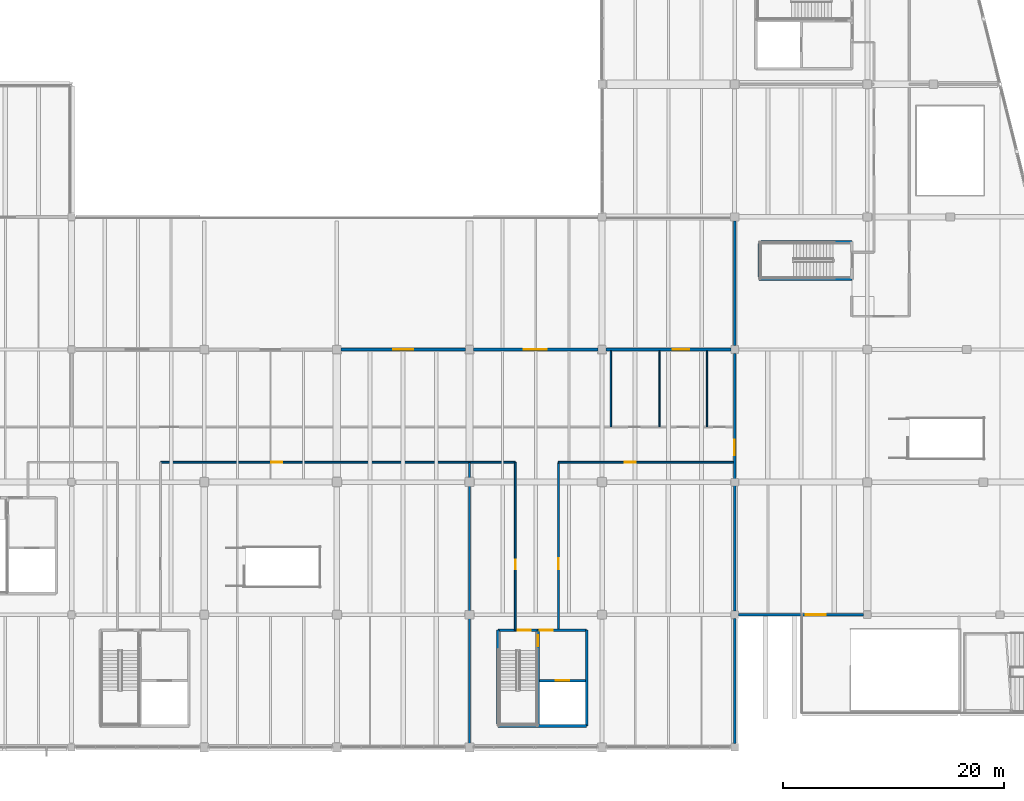
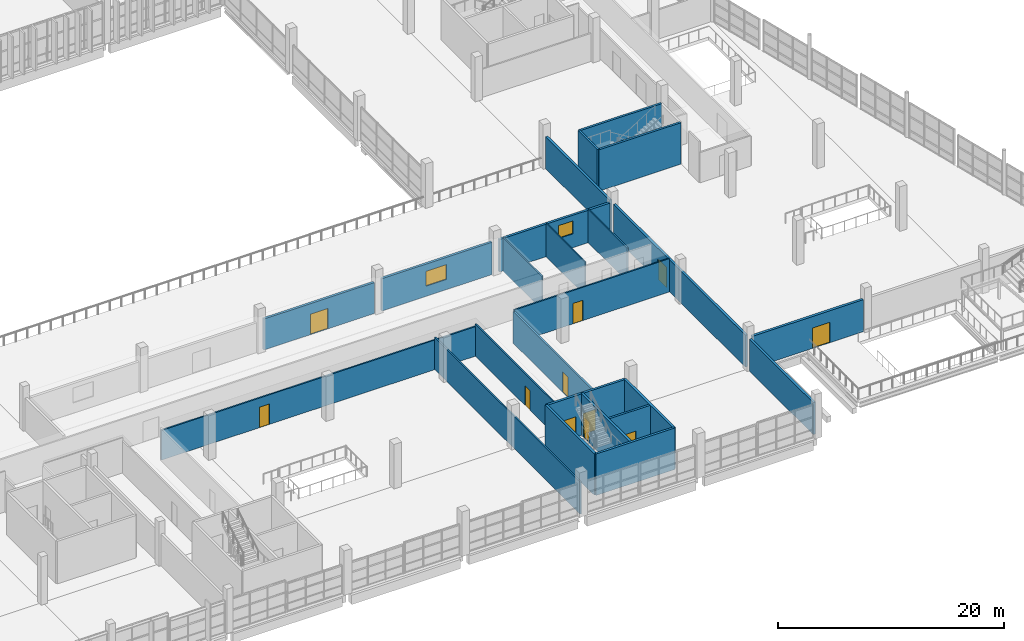
# One storey, part 84 of 112: 24 walls, 11 doors, 2 windows, 13 openings.
"""IFC4 building model written with IfcOpenShell, lengths in metres."""

from ifc_helpers import new_model, si_unit, direction, frame, frame_2d, origin, place, context, subcontext, project, spatial, rectangle, extrude, material, layer, layer_set, type_object, element, fill, save


model = new_model("IFC4")

# Units and contexts
model_context = context("Model", 3, precision=1e-05, world=origin(), true_north=direction((0.0, 1.0)))
body_context = subcontext(model_context, "Body", "Model", "MODEL_VIEW")
ifc_project = project(units=[si_unit("LENGTHUNIT", "METRE"), si_unit("AREAUNIT", "SQUARE_METRE"), si_unit("VOLUMEUNIT", "CUBIC_METRE"), si_unit("PLANEANGLEUNIT", "RADIAN"), si_unit("MASSUNIT", "GRAM", prefix="KILO")], contexts=[model_context])

# Site, building, storey
site_placement = place(None, origin())
site = spatial("IfcSite", under=ifc_project, at=site_placement, CompositionType="ELEMENT")
building_placement = place(site_placement, origin())
building = spatial("IfcBuilding", under=site, at=building_placement, Name="Kamomehara Wholesale Market", CompositionType="ELEMENT")
storey_placement = place(building_placement, frame((0.0, 0.0, 6.60009765625)))
storey = spatial("IfcBuildingStorey", under=building, at=storey_placement, Name="L01", CompositionType="ELEMENT", Elevation=6.60009765625)

# Wall, opening, door
ifc_material_1 = material(Name="Precast concrete Fc45 (C40/50)", Category="concrete")
ifc_layer_1 = layer(ifc_material_1, 0.239990234375)
ifc_layer_set_1 = layer_set([ifc_layer_1], Name="Precast concrete Fc45 (C40/50)")
wall_type_1 = type_object("IfcWallType", Name="EW-PC-240", PredefinedType="SOLIDWALL", material=ifc_layer_set_1)
wall_1_placement = place(storey_placement, frame((132.375, 48.0, 0.0), z_axis=(0.0, 0.0, 1.0), x_axis=(1.0, 0.0, 0.0)))
wall_1 = element("IfcWall", 1, at=wall_1_placement, inside=storey, type_object=wall_type_1, Name="Exterior wall EW-PC-240 105", PredefinedType="SOLIDWALL", context=body_context, shape_type="SweptSolid", body=[
    extrude(rectangle(XDim=11.25, YDim=0.239990234375, at=frame_2d((5.625, 0.0))), origin(), (0.0, 0.0, 1.0), 3.337890625),
])
opening_1_placement = place(wall_1_placement, frame((4.72509765625, 0.0, 0.0)))
opening_1 = element("IfcOpeningElement", 2, at=opening_1_placement, cuts=wall_1, Name="Opening TD-L01-132", PredefinedType="OPENING", context=body_context, shape_type="SweptSolid", body=[
    extrude(rectangle(XDim=1.800048828125, YDim=2.199951171875, at=frame_2d((0.89990234375, 1.10009765625))), frame((0.0, 0.134765625, 0.0), z_axis=(0.0, -1.0, 0.0), x_axis=(1.0, 0.0, 0.0)), (0.0, 0.0, 1.0), 0.269775390625),
])
ifc_material_2 = material(Name="Anodised aluminium 6063-T5", Category="aluminium")
door_type_1 = type_object("IfcDoorType", Name="EDR-1800x2200", OperationType="NOTDEFINED", PredefinedType="DOOR", material=ifc_material_2)
door_1_placement = place(opening_1_placement, origin())
door_1 = element("IfcDoor", 3, at=door_1_placement, inside=storey, type_object=door_type_1, Name="Terrace 1 restaurant door TD-L01-132", OperationType="SINGLE_SWING_LEFT", OverallHeight=2.199951171875, OverallWidth=1.800048828125, PredefinedType="DOOR", context=body_context, shape_type="SweptSolid", body=[
    extrude(rectangle(XDim=1.800048828125, YDim=2.199951171875, at=frame_2d((0.89990234375, 1.10009765625))), frame((0.0, 0.02490234375, 0.0), z_axis=(0.0, -1.0, 0.0), x_axis=(1.0, 0.0, 0.0)), (0.0, 0.0, 1.0), 0.050048828125),
])
fill(opening_1, door_1)

# Wall, opening, window
wall_2_placement = place(storey_placement, frame((144.375, 48.0, 0.0), z_axis=(0.0, 0.0, 1.0), x_axis=(1.0, 0.0, 0.0)))
wall_2 = element("IfcWall", 4, at=wall_2_placement, inside=storey, type_object=wall_type_1, Name="Exterior wall EW-PC-240 106", PredefinedType="SOLIDWALL", context=body_context, shape_type="SweptSolid", body=[
    extrude(rectangle(XDim=11.25, YDim=0.239990234375, at=frame_2d((5.625, 0.0))), origin(), (0.0, 0.0, 1.0), 3.477783203125),
])
opening_2_placement = place(wall_2_placement, frame((4.52490234375, 0.0, 1.10009765625)))
opening_2 = element("IfcOpeningElement", 5, at=opening_2_placement, cuts=wall_2, Name="Opening WN-L01-023", PredefinedType="OPENING", context=body_context, shape_type="SweptSolid", body=[
    extrude(rectangle(XDim=2.10009765625, YDim=1.60009765625, at=frame_2d((1.050048828125, 0.800048828125))), frame((0.0, 0.134765625, 0.0), z_axis=(0.0, -1.0, 0.0), x_axis=(1.0, 0.0, 0.0)), (0.0, 0.0, 1.0), 0.269775390625),
])
ifc_material_3 = material(Name="Solar-control Low-E double glazing", Category="glass")
window_type_1 = type_object("IfcWindowType", Name="WIN-2100x1600", PartitioningType="SINGLE_PANEL", PredefinedType="WINDOW", material=ifc_material_3)
window_1_placement = place(opening_2_placement, origin())
window_1 = element("IfcWindow", 6, at=window_1_placement, inside=storey, type_object=window_type_1, Name="Exterior window WN-L01-023", OverallHeight=1.60009765625, OverallWidth=2.10009765625, PartitioningType="SINGLE_PANEL", PredefinedType="WINDOW", context=body_context, shape_type="SweptSolid", body=[
    extrude(rectangle(XDim=2.10009765625, YDim=1.60009765625, at=frame_2d((1.050048828125, 0.800048828125))), frame((0.0, 0.030029296875, 0.0), z_axis=(0.0, -1.0, 0.0), x_axis=(1.0, 0.0, 0.0)), (0.0, 0.0, 1.0), 0.06005859375),
])
fill(opening_2, window_1)

wall_3_placement = place(storey_placement, frame((156.375, 48.0, 0.0), z_axis=(0.0, 0.0, 1.0), x_axis=(1.0, 0.0, 0.0)))
wall_3 = element("IfcWall", 7, at=wall_3_placement, inside=storey, type_object=wall_type_1, Name="Exterior wall EW-PC-240 107", PredefinedType="SOLIDWALL", context=body_context, shape_type="SweptSolid", body=[
    extrude(rectangle(XDim=11.27490234375, YDim=0.239990234375, at=frame_2d((5.637451171875, 0.0))), origin(), (0.0, 0.0, 1.0), 3.497802734375),
])
opening_3_placement = place(wall_3_placement, frame((6.02490234375, 0.0, 1.5)))
opening_3 = element("IfcOpeningElement", 8, at=opening_3_placement, cuts=wall_3, Name="Opening WN-L01-024", PredefinedType="OPENING", context=body_context, shape_type="SweptSolid", body=[
    extrude(rectangle(XDim=1.5, YDim=1.39990234375, at=frame_2d((0.75, 0.699951171875))), frame((0.0, 0.134765625, 0.0), z_axis=(0.0, -1.0, 0.0), x_axis=(1.0, 0.0, 0.0)), (0.0, 0.0, 1.0), 0.269775390625),
])
ifc_material_4 = material(Name="Solar-control Low-E double glazing", Category="glass")
window_type_2 = type_object("IfcWindowType", Name="WIN-1500x1400", PartitioningType="SINGLE_PANEL", PredefinedType="WINDOW", material=ifc_material_4)
window_2_placement = place(opening_3_placement, origin())
window_2 = element("IfcWindow", 9, at=window_2_placement, inside=storey, type_object=window_type_2, Name="Exterior window WN-L01-024", OverallHeight=1.39990234375, OverallWidth=1.5, PartitioningType="SINGLE_PANEL", PredefinedType="WINDOW", context=body_context, shape_type="SweptSolid", body=[
    extrude(rectangle(XDim=1.5, YDim=1.39990234375, at=frame_2d((0.75, 0.699951171875))), frame((0.0, 0.030029296875, 0.0), z_axis=(0.0, -1.0, 0.0), x_axis=(1.0, 0.0, 0.0)), (0.0, 0.0, 1.0), 0.06005859375),
])
fill(opening_3, window_2)

# Walls
wall_4_placement = place(storey_placement, frame((168.0, 23.64990234375, 0.0), z_axis=(0.0, 0.0, 1.0), x_axis=(0.0, -1.0, 0.0)))
element("IfcWall", 10, at=wall_4_placement, inside=storey, type_object=wall_type_1, Name="Exterior wall EW-PC-240 127", PredefinedType="SOLIDWALL", context=body_context, shape_type="SweptSolid", body=[
    extrude(rectangle(XDim=11.2998046875, YDim=0.239990234375, at=frame_2d((5.64990234375, 0.0))), origin(), (0.0, 0.0, 1.0), 3.44287109375),
])
wall_5_placement = place(storey_placement, frame((168.0, 48.35009765625, 0.0), z_axis=(0.0, 0.0, 1.0), x_axis=(0.0, 1.0, 0.0)))
element("IfcWall", 11, at=wall_5_placement, inside=storey, type_object=wall_type_1, Name="Exterior wall EW-PC-240 132", PredefinedType="SOLIDWALL", context=body_context, shape_type="SweptSolid", body=[
    extrude(rectangle(XDim=11.27490234375, YDim=0.239990234375, at=frame_2d((5.637451171875, 0.0))), origin(), (0.0, 0.0, 1.0), 3.447998046875),
])

# Wall, opening, door
ifc_material_5 = material(Name="Precast concrete Fc45 (C40/50)", Category="concrete")
ifc_layer_2 = layer(ifc_material_5, 0.260009765625)
ifc_layer_set_2 = layer_set([ifc_layer_2], Name="Precast concrete Fc45 (C40/50)")
wall_type_2 = type_object("IfcWallType", Name="EW-PC-260", PredefinedType="SOLIDWALL", material=ifc_layer_set_2)
wall_6_placement = place(storey_placement, frame((179.64990234375, 24.0, 0.0), z_axis=(0.0, 0.0, 1.0), x_axis=(-1.0, 0.0, 0.0)))
wall_6 = element("IfcWall", 12, at=wall_6_placement, inside=storey, type_object=wall_type_2, Name="Exterior wall EW-PC-260 130", PredefinedType="SOLIDWALL", context=body_context, shape_type="SweptSolid", body=[
    extrude(rectangle(XDim=11.2998046875, YDim=0.260009765625, at=frame_2d((5.64990234375, 0.0))), origin(), (0.0, 0.0, 1.0), 3.44287109375),
])
opening_4_placement = place(wall_6_placement, frame((3.39990234375, 0.0, 0.0)))
opening_4 = element("IfcOpeningElement", 13, at=opening_4_placement, cuts=wall_6, Name="Opening TD-L01-V2", PredefinedType="OPENING", context=body_context, shape_type="SweptSolid", body=[
    extrude(rectangle(XDim=1.800048828125, YDim=2.199951171875, at=frame_2d((0.89990234375, 1.10009765625))), frame((0.0, 0.14501953125, 0.0), z_axis=(0.0, -1.0, 0.0), x_axis=(1.0, 0.0, 0.0)), (0.0, 0.0, 1.0), 0.289794921875),
])
door_2_placement = place(opening_4_placement, origin())
door_2 = element("IfcDoor", 14, at=door_2_placement, inside=storey, type_object=door_type_1, Name="Forecourt stair terrace door TD-L01-V2", OperationType="SINGLE_SWING_LEFT", OverallHeight=2.199951171875, OverallWidth=1.800048828125, PredefinedType="DOOR", context=body_context, shape_type="SweptSolid", body=[
    extrude(rectangle(XDim=1.800048828125, YDim=2.199951171875, at=frame_2d((0.89990234375, 1.10009765625))), frame((0.0, 0.02490234375, 0.0), z_axis=(0.0, -1.0, 0.0), x_axis=(1.0, 0.0, 0.0)), (0.0, 0.0, 1.0), 0.050048828125),
])
fill(opening_4, door_2)

# Walls
ifc_material_6 = material(Name="Gypsum board partition")
ifc_layer_3 = layer(ifc_material_6, 0.125)
ifc_layer_set_3 = layer_set([ifc_layer_3], Name="Gypsum board partition")
wall_type_3 = type_object("IfcWallType", Name="IW-PRT-125", PredefinedType="PARTITIONING", material=ifc_layer_set_3)
for number, where, z_axis, x_axis, name in (
    (15, (156.800048828125, 41.0, 0.0), (0.0, 0.0, 1.0), (0.0, 1.0, 0.0), "Interior wall IW-PRT-125 330"),
    (16, (161.199951171875, 41.0, 0.0), (0.0, 0.0, 1.0), (0.0, 1.0, 0.0), "Interior wall IW-PRT-125 331"),
    (17, (165.5, 41.0, 0.0), (0.0, 0.0, 1.0), (0.0, 1.0, 0.0), "Interior wall IW-PRT-125 332"),
):
    element("IfcWall", number, at=place(storey_placement, frame(where, z_axis=z_axis, x_axis=x_axis)), inside=storey, type_object=wall_type_3, Name=name, PredefinedType="PARTITIONING", context=body_context, shape_type="SweptSolid", body=[
        extrude(rectangle(XDim=6.8798828125, YDim=0.125, at=frame_2d((3.43994140625, 0.0))), origin(), (0.0, 0.0, 1.0), 3.587890625),
    ])

# Wall, opening, door
ifc_material_7 = material(Name="Gypsum board partition")
ifc_layer_4 = layer(ifc_material_7, 0.14990234375)
ifc_layer_set_4 = layer_set([ifc_layer_4], Name="Gypsum board partition")
wall_type_4 = type_object("IfcWallType", Name="IW-PRT-150", PredefinedType="PARTITIONING", material=ifc_layer_set_4)
wall_7_placement = place(storey_placement, frame((116.050048828125, 37.800048828125, 0.0), z_axis=(0.0, 0.0, 1.0), x_axis=(1.0, 0.0, 0.0)))
wall_7 = element("IfcWall", 18, at=wall_7_placement, inside=storey, type_object=wall_type_4, Name="Interior wall IW-PRT-150 321", PredefinedType="PARTITIONING", context=body_context, shape_type="SweptSolid", body=[
    extrude(rectangle(XDim=32.099853515625, YDim=0.14990234375, at=frame_2d((16.0498046875, 0.0))), origin(), (0.0, 0.0, 1.0), 3.19287109375),
])
opening_5_placement = place(wall_7_placement, frame((10.0, 0.0, 0.0)))
opening_5 = element("IfcOpeningElement", 19, at=opening_5_placement, cuts=wall_7, Name="Opening ID-L01-200", PredefinedType="OPENING", context=body_context, shape_type="SweptSolid", body=[
    extrude(rectangle(XDim=1.0, YDim=2.199951171875, at=frame_2d((0.5, 1.10009765625))), frame((0.0, 0.08984375, 0.0), z_axis=(0.0, -1.0, 0.0), x_axis=(1.0, 0.0, 0.0)), (0.0, 0.0, 1.0), 0.1796875),
])
ifc_material_8 = material(Name="Anodised aluminium 6063-T5", Category="aluminium")
door_type_2 = type_object("IfcDoorType", Name="IDR-RM-1000x2200", OperationType="NOTDEFINED", PredefinedType="DOOR", material=ifc_material_8)
door_3_placement = place(opening_5_placement, origin())
door_3 = element("IfcDoor", 20, at=door_3_placement, inside=storey, type_object=door_type_2, Name="Interior door ID-L01-200", OperationType="SINGLE_SWING_RIGHT", OverallHeight=2.199951171875, OverallWidth=1.0, PredefinedType="DOOR", context=body_context, shape_type="SweptSolid", body=[
    extrude(rectangle(XDim=1.0, YDim=2.199951171875, at=frame_2d((0.5, 1.10009765625))), frame((0.0, 0.02490234375, 0.0), z_axis=(0.0, -1.0, 0.0), x_axis=(1.0, 0.0, 0.0)), (0.0, 0.0, 1.0), 0.050048828125),
])
fill(opening_5, door_3)

wall_8_placement = place(storey_placement, frame((148.14990234375, 22.60009765625, 0.0), z_axis=(0.0, 0.0, 1.0), x_axis=(0.0, 1.0, 0.0)))
wall_8 = element("IfcWall", 21, at=wall_8_placement, inside=storey, type_object=wall_type_4, Name="Interior wall IW-PRT-150 322", PredefinedType="PARTITIONING", context=body_context, shape_type="SweptSolid", body=[
    extrude(rectangle(XDim=15.199951171875, YDim=0.14990234375, at=frame_2d((7.60009765625, 0.0))), origin(), (0.0, 0.0, 1.0), 3.432861328125),
])
opening_6_placement = place(wall_8_placement, frame((5.5, 0.0, 0.0)))
opening_6 = element("IfcOpeningElement", 22, at=opening_6_placement, cuts=wall_8, Name="Opening ID-L01-201", PredefinedType="OPENING", context=body_context, shape_type="SweptSolid", body=[
    extrude(rectangle(XDim=0.89990234375, YDim=2.10009765625, at=frame_2d((0.449951171875, 1.050048828125))), frame((0.0, 0.08984375, 0.0), z_axis=(0.0, -1.0, 0.0), x_axis=(1.0, 0.0, 0.0)), (0.0, 0.0, 1.0), 0.1796875),
])
ifc_material_9 = material(Name="Anodised aluminium 6063-T5", Category="aluminium")
door_type_3 = type_object("IfcDoorType", Name="IDR-RM-900x2100", OperationType="NOTDEFINED", PredefinedType="DOOR", material=ifc_material_9)
door_4_placement = place(opening_6_placement, origin())
door_4 = element("IfcDoor", 23, at=door_4_placement, inside=storey, type_object=door_type_3, Name="Interior door ID-L01-201", OperationType="SINGLE_SWING_LEFT", OverallHeight=2.10009765625, OverallWidth=0.89990234375, PredefinedType="DOOR", context=body_context, shape_type="SweptSolid", body=[
    extrude(rectangle(XDim=0.89990234375, YDim=2.10009765625, at=frame_2d((0.449951171875, 1.050048828125))), frame((0.0, 0.02490234375, 0.0), z_axis=(0.0, -1.0, 0.0), x_axis=(1.0, 0.0, 0.0)), (0.0, 0.0, 1.0), 0.050048828125),
])
fill(opening_6, door_4)

wall_9_placement = place(storey_placement, frame((152.050048828125, 37.800048828125, 0.0), z_axis=(0.0, 0.0, 1.0), x_axis=(1.0, 0.0, 0.0)))
wall_9 = element("IfcWall", 24, at=wall_9_placement, inside=storey, type_object=wall_type_4, Name="Interior wall IW-PRT-150 324", PredefinedType="PARTITIONING", context=body_context, shape_type="SweptSolid", body=[
    extrude(rectangle(XDim=15.829833984375, YDim=0.14990234375, at=frame_2d((7.9150390625, 0.0))), origin(), (0.0, 0.0, 1.0), 3.587890625),
])
opening_7_placement = place(wall_9_placement, frame((6.0, 0.0, 0.0)))
opening_7 = element("IfcOpeningElement", 25, at=opening_7_placement, cuts=wall_9, Name="Opening ID-L01-203", PredefinedType="OPENING", context=body_context, shape_type="SweptSolid", body=[
    extrude(rectangle(XDim=1.0, YDim=2.199951171875, at=frame_2d((0.5, 1.10009765625))), frame((0.0, 0.08984375, 0.0), z_axis=(0.0, -1.0, 0.0), x_axis=(1.0, 0.0, 0.0)), (0.0, 0.0, 1.0), 0.1796875),
])
door_5_placement = place(opening_7_placement, origin())
door_5 = element("IfcDoor", 26, at=door_5_placement, inside=storey, type_object=door_type_2, Name="Interior door ID-L01-203", OperationType="SINGLE_SWING_LEFT", OverallHeight=2.199951171875, OverallWidth=1.0, PredefinedType="DOOR", context=body_context, shape_type="SweptSolid", body=[
    extrude(rectangle(XDim=1.0, YDim=2.199951171875, at=frame_2d((0.5, 1.10009765625))), frame((0.0, 0.02490234375, 0.0), z_axis=(0.0, -1.0, 0.0), x_axis=(1.0, 0.0, 0.0)), (0.0, 0.0, 1.0), 0.050048828125),
])
fill(opening_7, door_5)

# Wall
wall_10_placement = place(storey_placement, frame((144.0, 12.0400390625, 0.0), z_axis=(0.0, 0.0, 1.0), x_axis=(0.0, 1.0, 0.0)))
element("IfcWall", 27, at=wall_10_placement, inside=storey, type_object=wall_type_4, Name="Interior wall IW-PRT-150 329", PredefinedType="PARTITIONING", context=body_context, shape_type="SweptSolid", body=[
    extrude(rectangle(XDim=25.760009765625, YDim=0.14990234375, at=frame_2d((12.8798828125, 0.0))), origin(), (0.0, 0.0, 1.0), 3.452880859375),
])

# Wall, opening, door
ifc_material_10 = material(Name="Gypsum board partition")
ifc_layer_5 = layer(ifc_material_10, 0.175048828125)
ifc_layer_set_5 = layer_set([ifc_layer_5], Name="Gypsum board partition")
wall_type_5 = type_object("IfcWallType", Name="IW-PRT-175", PredefinedType="PARTITIONING", material=ifc_layer_set_5)
wall_11_placement = place(storey_placement, frame((152.050048828125, 22.60009765625, 0.0), z_axis=(0.0, 0.0, 1.0), x_axis=(0.0, 1.0, 0.0)))
wall_11 = element("IfcWall", 28, at=wall_11_placement, inside=storey, type_object=wall_type_5, Name="Interior wall IW-PRT-175 323", PredefinedType="PARTITIONING", context=body_context, shape_type="SweptSolid", body=[
    extrude(rectangle(XDim=15.199951171875, YDim=0.175048828125, at=frame_2d((7.60009765625, 0.0))), origin(), (0.0, 0.0, 1.0), 3.432861328125),
])
opening_8_placement = place(wall_11_placement, frame((5.5, 0.0, 0.0)))
opening_8 = element("IfcOpeningElement", 29, at=opening_8_placement, cuts=wall_11, Name="Opening ID-L01-202", PredefinedType="OPENING", context=body_context, shape_type="SweptSolid", body=[
    extrude(rectangle(XDim=1.0, YDim=2.199951171875, at=frame_2d((0.5, 1.10009765625))), frame((0.0, 0.1025390625, 0.0), z_axis=(0.0, -1.0, 0.0), x_axis=(1.0, 0.0, 0.0)), (0.0, 0.0, 1.0), 0.204833984375),
])
door_6_placement = place(opening_8_placement, origin())
door_6 = element("IfcDoor", 30, at=door_6_placement, inside=storey, type_object=door_type_2, Name="Interior door ID-L01-202", OperationType="SINGLE_SWING_RIGHT", OverallHeight=2.199951171875, OverallWidth=1.0, PredefinedType="DOOR", context=body_context, shape_type="SweptSolid", body=[
    extrude(rectangle(XDim=1.0, YDim=2.199951171875, at=frame_2d((0.5, 1.10009765625))), frame((0.0, 0.02490234375, 0.0), z_axis=(0.0, -1.0, 0.0), x_axis=(1.0, 0.0, 0.0)), (0.0, 0.0, 1.0), 0.050048828125),
])
fill(opening_8, door_6)

ifc_material_11 = material(Name="Concrete Fc36 (C35/45)", Category="concrete")
ifc_layer_6 = layer(ifc_material_11, 0.219970703125)
ifc_layer_set_6 = layer_set([ifc_layer_6], Name="Concrete Fc36 (C35/45)")
wall_type_6 = type_object("IfcWallType", Name="IW-SHR-220", PredefinedType="SHEAR", material=ifc_layer_set_6)
wall_12_placement = place(storey_placement, frame((150.340087890625, 18.0400390625, 0.0), z_axis=(0.0, 0.0, 1.0), x_axis=(1.0, 0.0, 0.0)))
wall_12 = element("IfcWall", 31, at=wall_12_placement, inside=storey, type_object=wall_type_6, Name="Interior wall IW-SHR-220 120", PredefinedType="SHEAR", context=body_context, shape_type="SweptSolid", body=[
    extrude(rectangle(XDim=4.139892578125, YDim=0.219970703125, at=frame_2d((2.06982421875, 0.0))), origin(), (0.0, 0.0, 1.0), 4.469970703125),
])
opening_9_placement = place(wall_12_placement, frame((1.469970703125, 0.0, 0.0)))
opening_9 = element("IfcOpeningElement", 32, at=opening_9_placement, cuts=wall_12, Name="Opening LD-LP-04-L01", PredefinedType="OPENING", context=body_context, shape_type="SweptSolid", body=[
    extrude(rectangle(XDim=1.199951171875, YDim=2.199951171875, at=frame_2d((0.60009765625, 1.10009765625))), frame((0.0, 0.125, 0.0), z_axis=(0.0, -1.0, 0.0), x_axis=(1.0, 0.0, 0.0)), (0.0, 0.0, 1.0), 0.249755859375),
])
ifc_material_12 = material(Name="Steel SN400B", Category="steel")
door_type_4 = type_object("IfcDoorType", Name="LDR-PAX-1200x2200", OperationType="DOUBLE_DOOR_SLIDING", PredefinedType="DOOR", material=ifc_material_12)
door_7_placement = place(opening_9_placement, origin())
door_7 = element("IfcDoor", 33, at=door_7_placement, inside=storey, type_object=door_type_4, Name="Lift sliding landing door LD-LP-04-L01", OperationType="DOUBLE_DOOR_SLIDING", OverallHeight=2.199951171875, OverallWidth=1.199951171875, PredefinedType="DOOR", context=body_context, shape_type="SweptSolid", body=[
    extrude(rectangle(XDim=1.199951171875, YDim=2.199951171875, at=frame_2d((0.60009765625, 1.10009765625))), frame((0.0, 0.02490234375, 0.0), z_axis=(0.0, -1.0, 0.0), x_axis=(1.0, 0.0, 0.0)), (0.0, 0.0, 1.0), 0.050048828125),
])
fill(opening_9, door_7)

# Walls
wall_13_placement = place(storey_placement, frame((170.219970703125, 57.760009765625, 0.0), z_axis=(0.0, 0.0, 1.0), x_axis=(0.0, -1.0, 0.0)))
element("IfcWall", 34, at=wall_13_placement, inside=storey, type_object=wall_type_6, Name="Interior wall IW-SHR-220 155", PredefinedType="SHEAR", context=body_context, shape_type="SweptSolid", body=[
    extrude(rectangle(XDim=3.389892578125, YDim=0.219970703125, at=frame_2d((1.69482421875, 0.0))), origin(), (0.0, 0.0, 1.0), 4.469970703125),
])
for number, where, z_axis, x_axis, name in (
    (35, (170.219970703125, 54.3701171875, 0.0), (0.0, 0.0, 1.0), (1.0, 0.0, 0.0), "Interior wall IW-SHR-220 156"),
    (36, (178.60009765625, 57.760009765625, 0.0), (0.0, 0.0, 1.0), (-1.0, 0.0, 0.0), "Interior wall IW-SHR-220 158"),
):
    element("IfcWall", number, at=place(storey_placement, frame(where, z_axis=z_axis, x_axis=x_axis)), inside=storey, type_object=wall_type_6, Name=name, PredefinedType="SHEAR", context=body_context, shape_type="SweptSolid", body=[
        extrude(rectangle(XDim=8.380126953125, YDim=0.219970703125, at=frame_2d((4.18994140625, 0.0))), origin(), (0.0, 0.0, 1.0), 4.469970703125),
    ])
ifc_material_13 = material(Name="Concrete Fc36 (C35/45)", Category="concrete")
ifc_layer_7 = layer(ifc_material_13, 0.239990234375)
ifc_layer_set_7 = layer_set([ifc_layer_7], Name="Concrete Fc36 (C35/45)")
wall_type_7 = type_object("IfcWallType", Name="IW-SHR-240", PredefinedType="SHEAR", material=ifc_layer_set_7)
wall_14_placement = place(storey_placement, frame((146.580078125, 22.60009765625, 0.0), z_axis=(0.0, 0.0, 1.0), x_axis=(0.0, -1.0, 0.0)))
element("IfcWall", 37, at=wall_14_placement, inside=storey, type_object=wall_type_7, Name="Interior wall IW-SHR-240 115", PredefinedType="SHEAR", context=body_context, shape_type="SweptSolid", body=[
    extrude(rectangle(XDim=8.670166015625, YDim=0.239990234375, at=frame_2d((4.3349609375, 0.0))), origin(), (0.0, 0.0, 1.0), 4.469970703125),
])
wall_15_placement = place(storey_placement, frame((146.580078125, 13.929931640625, 0.0), z_axis=(0.0, 0.0, 1.0), x_axis=(1.0, 0.0, 0.0)))
element("IfcWall", 38, at=wall_15_placement, inside=storey, type_object=wall_type_7, Name="Interior wall IW-SHR-240 116", PredefinedType="SHEAR", context=body_context, shape_type="SweptSolid", body=[
    extrude(rectangle(XDim=8.02001953125, YDim=0.239990234375, at=frame_2d((4.010009765625, 0.0))), origin(), (0.0, 0.0, 1.0), 4.469970703125),
])

# Wall, opening, door
wall_16_placement = place(storey_placement, frame((150.219970703125, 13.929931640625, 0.0), z_axis=(0.0, 0.0, 1.0), x_axis=(0.0, 1.0, 0.0)))
wall_16 = element("IfcWall", 39, at=wall_16_placement, inside=storey, type_object=wall_type_7, Name="Interior wall IW-SHR-240 117", PredefinedType="SHEAR", context=body_context, shape_type="SweptSolid", body=[
    extrude(rectangle(XDim=8.670166015625, YDim=0.239990234375, at=frame_2d((4.3349609375, 0.0))), origin(), (0.0, 0.0, 1.0), 4.469970703125),
])
opening_10_placement = place(wall_16_placement, frame((7.219970703125, 0.0, 0.0)))
opening_10 = element("IfcOpeningElement", 40, at=opening_10_placement, cuts=wall_16, Name="Opening FD-L01-C8I", PredefinedType="OPENING", context=body_context, shape_type="SweptSolid", body=[
    extrude(rectangle(XDim=1.0, YDim=2.199951171875, at=frame_2d((0.5, 1.10009765625))), frame((0.0, 0.134765625, 0.0), z_axis=(0.0, -1.0, 0.0), x_axis=(1.0, 0.0, 0.0)), (0.0, 0.0, 1.0), 0.269775390625),
])
door_8_placement = place(opening_10_placement, origin())
door_8 = element("IfcDoor", 41, at=door_8_placement, inside=storey, type_object=door_type_2, Name="Core lobby-stair fire door FD-L01-C8I", OperationType="SINGLE_SWING_RIGHT", OverallHeight=2.199951171875, OverallWidth=1.0, PredefinedType="DOOR", context=body_context, shape_type="SweptSolid", body=[
    extrude(rectangle(XDim=1.0, YDim=2.199951171875, at=frame_2d((0.5, 1.10009765625))), frame((0.0, 0.02490234375, 0.0), z_axis=(0.0, -1.0, 0.0), x_axis=(1.0, 0.0, 0.0)), (0.0, 0.0, 1.0), 0.050048828125),
])
fill(opening_10, door_8)

# Wall
wall_17_placement = place(storey_placement, frame((154.60009765625, 13.929931640625, 0.0), z_axis=(0.0, 0.0, 1.0), x_axis=(0.0, 1.0, 0.0)))
element("IfcWall", 42, at=wall_17_placement, inside=storey, type_object=wall_type_7, Name="Interior wall IW-SHR-240 118", PredefinedType="SHEAR", context=body_context, shape_type="SweptSolid", body=[
    extrude(rectangle(XDim=8.670166015625, YDim=0.239990234375, at=frame_2d((4.3349609375, 0.0))), origin(), (0.0, 0.0, 1.0), 4.469970703125),
])

# Wall, openings, doors
wall_18_placement = place(storey_placement, frame((146.580078125, 22.60009765625, 0.0), z_axis=(0.0, 0.0, 1.0), x_axis=(1.0, 0.0, 0.0)))
wall_18 = element("IfcWall", 43, at=wall_18_placement, inside=storey, type_object=wall_type_7, Name="Interior wall IW-SHR-240 119", PredefinedType="SHEAR", context=body_context, shape_type="SweptSolid", body=[
    extrude(rectangle(XDim=8.02001953125, YDim=0.239990234375, at=frame_2d((4.010009765625, 0.0))), origin(), (0.0, 0.0, 1.0), 4.469970703125),
])
opening_11_placement = place(wall_18_placement, frame((1.77001953125, 0.0, 0.0)))
opening_11 = element("IfcOpeningElement", 44, at=opening_11_placement, cuts=wall_18, Name="Opening FD-L01-C8S", PredefinedType="OPENING", context=body_context, shape_type="SweptSolid", body=[
    extrude(rectangle(XDim=1.199951171875, YDim=2.199951171875, at=frame_2d((0.60009765625, 1.10009765625))), frame((0.0, 0.134765625, 0.0), z_axis=(0.0, -1.0, 0.0), x_axis=(1.0, 0.0, 0.0)), (0.0, 0.0, 1.0), 0.269775390625),
])
opening_12_placement = place(wall_18_placement, frame((3.77001953125, 0.0, 0.0)))
opening_12 = element("IfcOpeningElement", 45, at=opening_12_placement, cuts=wall_18, Name="Opening FD-L01-C8L", PredefinedType="OPENING", context=body_context, shape_type="SweptSolid", body=[
    extrude(rectangle(XDim=1.199951171875, YDim=2.199951171875, at=frame_2d((0.60009765625, 1.10009765625))), frame((0.0, 0.134765625, 0.0), z_axis=(0.0, -1.0, 0.0), x_axis=(1.0, 0.0, 0.0)), (0.0, 0.0, 1.0), 0.269775390625),
])
ifc_material_14 = material(Name="Steel SN400B", Category="steel")
door_type_5 = type_object("IfcDoorType", Name="IDR-FD-1200x2200", OperationType="NOTDEFINED", PredefinedType="DOOR", material=ifc_material_14)
door_9_placement = place(opening_11_placement, origin())
door_9 = element("IfcDoor", 46, at=door_9_placement, inside=storey, type_object=door_type_5, Name="Stair fire door FD-L01-C8S", OperationType="SINGLE_SWING_LEFT", OverallHeight=2.199951171875, OverallWidth=1.199951171875, PredefinedType="DOOR", context=body_context, shape_type="SweptSolid", body=[
    extrude(rectangle(XDim=1.199951171875, YDim=2.199951171875, at=frame_2d((0.60009765625, 1.10009765625))), frame((0.0, 0.02490234375, 0.0), z_axis=(0.0, -1.0, 0.0), x_axis=(1.0, 0.0, 0.0)), (0.0, 0.0, 1.0), 0.050048828125),
])
fill(opening_11, door_9)
door_10_placement = place(opening_12_placement, origin())
door_10 = element("IfcDoor", 47, at=door_10_placement, inside=storey, type_object=door_type_5, Name="Lift lobby fire door FD-L01-C8L", OperationType="SINGLE_SWING_RIGHT", OverallHeight=2.199951171875, OverallWidth=1.199951171875, PredefinedType="DOOR", context=body_context, shape_type="SweptSolid", body=[
    extrude(rectangle(XDim=1.199951171875, YDim=2.199951171875, at=frame_2d((0.60009765625, 1.10009765625))), frame((0.0, 0.02490234375, 0.0), z_axis=(0.0, -1.0, 0.0), x_axis=(1.0, 0.0, 0.0)), (0.0, 0.0, 1.0), 0.050048828125),
])
fill(opening_12, door_10)

# Wall, opening, door
wall_19_placement = place(storey_placement, frame((168.0, 24.35009765625, 0.0), z_axis=(0.0, 0.0, 1.0), x_axis=(0.0, 1.0, 0.0)))
wall_19 = element("IfcWall", 48, at=wall_19_placement, inside=storey, type_object=wall_type_7, Name="Interior wall IW-SHR-240 333", PredefinedType="SHEAR", context=body_context, shape_type="SweptSolid", body=[
    extrude(rectangle(XDim=23.2998046875, YDim=0.239990234375, at=frame_2d((11.64990234375, 0.0))), origin(), (0.0, 0.0, 1.0), 3.43798828125),
])
opening_13_placement = place(wall_19_placement, frame((14.10009765625, 0.0, 0.0)))
opening_13 = element("IfcOpeningElement", 49, at=opening_13_placement, cuts=wall_19, Name="Opening ID-L01-209", PredefinedType="OPENING", context=body_context, shape_type="SweptSolid", body=[
    extrude(rectangle(XDim=1.39990234375, YDim=2.199951171875, at=frame_2d((0.699951171875, 1.10009765625))), frame((0.0, 0.134765625, 0.0), z_axis=(0.0, -1.0, 0.0), x_axis=(1.0, 0.0, 0.0)), (0.0, 0.0, 1.0), 0.269775390625),
])
ifc_material_15 = material(Name="Steel SN400B", Category="steel")
door_type_6 = type_object("IfcDoorType", Name="IDR-FD-1400x2200", OperationType="NOTDEFINED", PredefinedType="DOOR", material=ifc_material_15)
door_11_placement = place(opening_13_placement, origin())
door_11 = element("IfcDoor", 50, at=door_11_placement, inside=storey, type_object=door_type_6, Name="Interior door ID-L01-209", OperationType="SINGLE_SWING_LEFT", OverallHeight=2.199951171875, OverallWidth=1.39990234375, PredefinedType="DOOR", context=body_context, shape_type="SweptSolid", body=[
    extrude(rectangle(XDim=1.39990234375, YDim=2.199951171875, at=frame_2d((0.699951171875, 1.10009765625))), frame((0.0, 0.02490234375, 0.0), z_axis=(0.0, -1.0, 0.0), x_axis=(1.0, 0.0, 0.0)), (0.0, 0.0, 1.0), 0.050048828125),
])
fill(opening_13, door_11)

save(model, "model.ifc")
